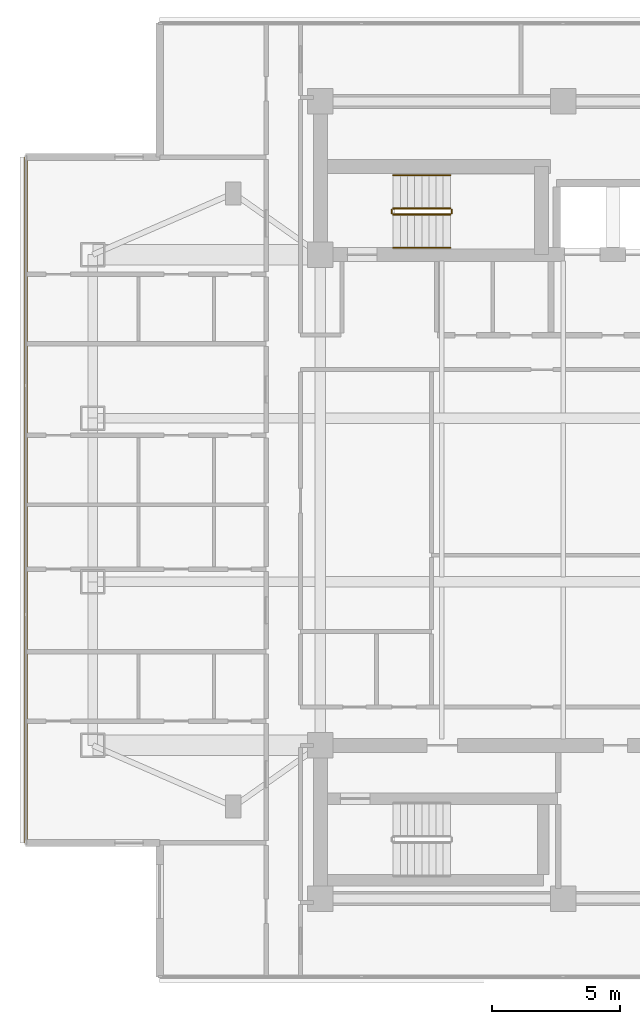
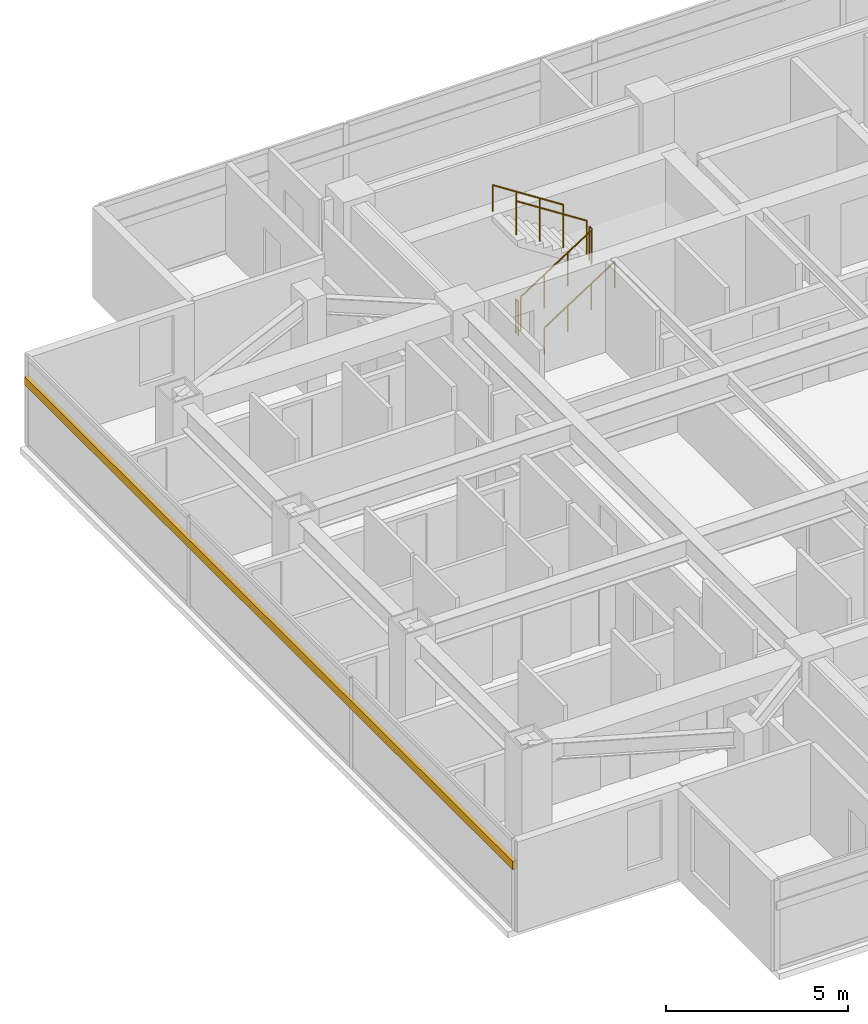
# One storey, part 22 of 26: 6 railings, 1 shading device.
"""IFC4 building model written with IfcOpenShell, lengths in metres."""

import ifcopenshell
import ifcopenshell.guid

model = None  # the IFC model being written
_history = None  # IfcOwnerHistory: only IFC2X3 demands one
_inside = {}  # id of a spatial element -> (the spatial element, [elements in it])
_under = {}  # id of a project, library or spatial element -> (it, [spatial elements below it])
_declared = {}  # id of a project -> (the project, [libraries it declares])
_typed = {}  # id of a type object -> (the type object, [elements of that type])
_made_of = {}  # id of a material, layer set ... -> (it, [elements and type objects made of it])


def new_model(schema):
    """Start an empty IFC model of exactly this schema.

    Asked for "IFC4X3", IfcOpenShell would pick the latest addendum, in which some entities
    have other attributes; the version numbers below select the first issue.
    IFC2X3 requires an IfcOwnerHistory on every rooted entity: one is made here for all.
    """
    global model, _history
    if schema == "IFC4X3":
        model = ifcopenshell.file(schema_version=(4, 3, 0, 0))
    else:
        model = ifcopenshell.file(schema=schema)
    _inside.clear()
    _under.clear()
    _declared.clear()
    _typed.clear()
    _made_of.clear()
    _history = None
    if model.schema == "IFC2X3":
        org = make("IfcOrganization", Name="unknown")
        user = make(
            "IfcPersonAndOrganization",
            ThePerson=make("IfcPerson", FamilyName="unknown"),
            TheOrganization=org,
        )
        app = make(
            "IfcApplication",
            ApplicationDeveloper=org,
            Version="unknown",
            ApplicationFullName="unknown",
            ApplicationIdentifier="unknown",
        )
        _history = make(
            "IfcOwnerHistory",
            OwningUser=user,
            OwningApplication=app,
            ChangeAction="ADDED",
            CreationDate=0,
        )
    return model


def make(cls, **values):
    """One entity of the class cls with the attributes given. An attribute that is None is left unset."""
    return model.create_entity(
        cls, **{name: value for name, value in values.items() if value is not None}
    )


def rooted(cls, **values):
    """An entity with a GlobalId (a new one), such as an element, a storey or a relation."""
    return make(cls, GlobalId=ifcopenshell.guid.new(), OwnerHistory=_history, **values)


def si_unit(unit_type, name, prefix=None):
    """IfcSIUnit, for example si_unit("LENGTHUNIT", "METRE", prefix="MILLI")."""
    return make("IfcSIUnit", UnitType=unit_type, Prefix=prefix, Name=name)


def assignment(units):
    """IfcUnitAssignment: the units of a project."""
    return None if units is None else make("IfcUnitAssignment", Units=units)


def point(xyz):
    """IfcCartesianPoint."""
    return None if xyz is None else make("IfcCartesianPoint", Coordinates=xyz)


def direction(xyz):
    """IfcDirection."""
    return None if xyz is None else make("IfcDirection", DirectionRatios=xyz)


def frame(location, z_axis=None, x_axis=None):
    """IfcAxis2Placement3D, a coordinate frame: its origin and axes. An axis left out is left unset."""
    return make(
        "IfcAxis2Placement3D",
        Location=point(location),
        Axis=direction(z_axis),
        RefDirection=direction(x_axis),
    )


def frame_2d(location, x_axis=None):
    """IfcAxis2Placement2D, a coordinate frame in the plane: its origin and x axis."""
    return make(
        "IfcAxis2Placement2D", Location=point(location), RefDirection=direction(x_axis)
    )


def origin():
    """The frame at (0, 0, 0) with its axes left unset."""
    return frame((0.0, 0.0, 0.0))


def origin_2d():
    """The frame at (0, 0) in the plane with its x axis left unset."""
    return frame_2d((0.0, 0.0))


def place(relative_to, where):
    """IfcLocalPlacement: puts the frame where relative to a parent placement (None: the world)."""
    return make(
        "IfcLocalPlacement", PlacementRelTo=relative_to, RelativePlacement=where
    )


def context(
    kind, dimensions, precision=None, world=None, true_north=None, identifier=None
):
    """IfcGeometricRepresentationContext, for example the 3D "Model" context."""
    return make(
        "IfcGeometricRepresentationContext",
        ContextIdentifier=identifier,
        ContextType=kind,
        CoordinateSpaceDimension=dimensions,
        Precision=precision,
        WorldCoordinateSystem=world,
        TrueNorth=true_north,
    )


def subcontext(parent, identifier, kind, view, scale=None):
    """IfcGeometricRepresentationSubContext, for example "Body" below "Model"."""
    return make(
        "IfcGeometricRepresentationSubContext",
        ContextIdentifier=identifier,
        ContextType=kind,
        ParentContext=parent,
        TargetScale=scale,
        TargetView=view,
    )


def project(units=None, contexts=None):
    """IfcProject with its units and contexts."""
    return rooted(
        "IfcProject",
        Name="project",
        RepresentationContexts=contexts,
        UnitsInContext=assignment(units),
    )


def spatial(cls, under=None, at=None, **own):
    """A site, building, storey or space (cls), placed at a placement, below another one or the project."""
    s = rooted(cls, ObjectPlacement=at, **own)
    if under is not None:
        _under.setdefault(under.id(), (under, []))[1].append(s)
    return s


def profile(cls, at=None, kind="AREA", **sizes):
    """A parametric profile (cls). Its sizes go by their IFC names, for example OverallWidth=200.0."""
    return make(cls, ProfileType=kind, Position=at, **sizes)


def rectangle(**sizes):
    """IfcRectangleProfileDef."""
    return profile("IfcRectangleProfileDef", **sizes)


def circle(**sizes):
    """IfcCircleProfileDef."""
    return profile("IfcCircleProfileDef", **sizes)


def extrude(swept, where, along, depth):
    """IfcExtrudedAreaSolid: the profile swept, set in the frame where, extruded along a direction by depth."""
    return make(
        "IfcExtrudedAreaSolid",
        SweptArea=swept,
        Position=where,
        ExtrudedDirection=direction(along),
        Depth=depth,
    )


def shape(context_of_items, identifier, shape_type, items):
    """IfcShapeRepresentation: the items that make up one representation, for example the "Body"."""
    return make(
        "IfcShapeRepresentation",
        ContextOfItems=context_of_items,
        RepresentationIdentifier=identifier,
        RepresentationType=shape_type,
        Items=items,
    )


def material(Name=None, Category=None):
    """IfcMaterial."""
    return make("IfcMaterial", Name=Name, Category=Category)


def material_profile(
    of_material, cross_section, Name=None, Category=None, Priority=None
):
    """IfcMaterialProfile: a cross section and its material."""
    return make(
        "IfcMaterialProfile",
        Name=Name,
        Material=of_material,
        Profile=cross_section,
        Priority=Priority,
        Category=Category,
    )


def profile_set(profiles, Name=None, composite=None):
    """IfcMaterialProfileSet."""
    return make(
        "IfcMaterialProfileSet",
        Name=Name,
        MaterialProfiles=profiles,
        CompositeProfile=composite,
    )


def made_of(thing, what):
    """Note that an element or type object is made of a material, layer set ...; save() writes the relation."""
    if what is not None:
        _made_of.setdefault(what.id(), (what, []))[1].append(thing)
    return thing


def type_object(cls, material=None, **own):
    """A type object (cls), such as IfcWallType, which elements share."""
    return made_of(rooted(cls, **own), material)


def element(
    cls,
    number,
    at=None,
    inside=None,
    cuts=None,
    type_object=None,
    material=None,
    context=None,
    identifier="Body",
    shape_type=None,
    held_by="IfcProductDefinitionShape",
    body=None,
    shapes=None,
    **own,
):
    """One element of the class cls, such as IfcWall. Its Tag is "e" and its number.

    at: its placement. inside: the storey or other place that contains it. cuts: it is an
    opening in that element (IfcRelVoidsElement). A single representation is given by context,
    identifier, shape_type and body (its items); several are given by shapes. held_by: the class
    of the entity that holds the representations. save() writes the other relations.
    """
    e = rooted(cls, Tag="e%d" % number, ObjectPlacement=at, **own)
    if body is not None:
        shapes = [shape(context, identifier, shape_type, body)]
    if shapes is not None:
        e.Representation = make(held_by, Representations=shapes)
    if inside is not None:
        _inside.setdefault(inside.id(), (inside, []))[1].append(e)
    if cuts is not None:
        rooted(
            "IfcRelVoidsElement", RelatingBuildingElement=cuts, RelatedOpeningElement=e
        )
    if type_object is not None:
        _typed.setdefault(type_object.id(), (type_object, []))[1].append(e)
    return made_of(e, material)


def aggregate(whole, parts):
    """IfcRelAggregates: a whole, such as a stair, and the parts it consists of."""
    return rooted("IfcRelAggregates", RelatingObject=whole, RelatedObjects=parts)


def save(model, path):
    """Write the relations noted so far, then the file.

    IfcRelAggregates (storeys below a building ...), IfcRelContainedInSpatialStructure (elements
    in a storey), IfcRelDefinesByType, IfcRelAssociatesMaterial and IfcRelDeclares: one each for
    every whole, place, type object, material and project.
    """
    for whole, parts in _under.values():
        aggregate(whole, parts)
    for where, things in _inside.values():
        rooted(
            "IfcRelContainedInSpatialStructure",
            RelatedElements=things,
            RelatingStructure=where,
        )
    for kind, things in _typed.values():
        rooted("IfcRelDefinesByType", RelatedObjects=things, RelatingType=kind)
    for what, things in _made_of.values():
        rooted("IfcRelAssociatesMaterial", RelatedObjects=things, RelatingMaterial=what)
    for by, libraries in _declared.values():
        rooted("IfcRelDeclares", RelatingContext=by, RelatedDefinitions=libraries)
    model.write(path)


model = new_model("IFC4")

# Units and contexts
model_context = context("Model", 3, precision=1e-05, world=origin(), true_north=direction((0.0, 1.0)))
body_context = subcontext(model_context, "Body", "Model", "MODEL_VIEW")
ifc_project = project(units=[si_unit("LENGTHUNIT", "METRE"), si_unit("AREAUNIT", "SQUARE_METRE"), si_unit("VOLUMEUNIT", "CUBIC_METRE"), si_unit("PLANEANGLEUNIT", "RADIAN"), si_unit("MASSUNIT", "GRAM", prefix="KILO")], contexts=[model_context])

# Site, building, storey
site_placement = place(None, origin())
site = spatial("IfcSite", under=ifc_project, at=site_placement, CompositionType="ELEMENT")
building_placement = place(site_placement, origin())
building = spatial("IfcBuilding", under=site, at=building_placement, Name="Mirazonda Arch Towers", CompositionType="ELEMENT")
storey_placement = place(building_placement, frame((0.0, 0.0, 170.64990234375)))
storey = spatial("IfcBuildingStorey", under=building, at=storey_placement, Name="L48", CompositionType="ELEMENT", Elevation=170.64990234375)

# Shading device
ifc_material_1 = material(Name="Kiln-Fired Architectural Terracotta", Category="masonry")
ifc_material_profile = material_profile(ifc_material_1, rectangle(XDim=0.139892578125, YDim=0.280029296875, at=origin_2d()), Name="TERRA-BAG-140x280")
ifc_profile_set = profile_set([ifc_material_profile], Name="Kiln-Fired Architectural Terracotta")
shading_device_type = type_object("IfcShadingDeviceType", Name="BAGUETTE-3", PredefinedType="USERDEFINED", material=ifc_profile_set)
shading_device_placement = place(storey_placement, frame((-0.530029296875, 41.4150390625, 2.181640625), z_axis=(0.0, -1.0, 0.0), x_axis=(1.0, 0.0, 0.0)))
element("IfcShadingDevice", 1, at=shading_device_placement, inside=storey, type_object=shading_device_type, Name="L48 Glazed Terracotta Sun-Screen Baguette CW-L48-T1-W", ObjectType="BAGUETTE", PredefinedType="USERDEFINED", context=body_context, shape_type="SweptSolid", body=[
    extrude(rectangle(XDim=0.139892578125, YDim=0.280029296875, at=origin_2d()), origin(), (0.0, 0.0, 1.0), 26.830078125),
])

# Railings
ifc_material_2 = material(Name="Architectural Brushed Steel S355", Category="steel")
railing_type_1 = type_object("IfcRailingType", Name="GUARD-STAIR-1120", PredefinedType="GUARDRAIL", material=ifc_material_2)
railing_1_placement = place(storey_placement, frame((13.85009765625, 39.169921875, 0.1806640625)))
element("IfcRailing", 2, at=railing_1_placement, inside=storey, type_object=railing_type_1, Name="L48 ST-T1N stair guard 1", PredefinedType="GUARDRAIL", context=body_context, shape_type="SweptSolid", body=[
    extrude(circle(Radius=0.02392578125, at=origin_2d()), frame((0.0, 0.0, 1.1259765625), z_axis=(0.840436612492, 0.0, 0.541909863706), x_axis=(0.0, 1.0, 0.0)), (0.0, 0.0, 1.0), 2.665283203125),
    extrude(circle(Radius=0.02099609375, at=origin_2d()), origin(), (0.0, 0.0, 1.0), 1.101806640625),
    extrude(circle(Radius=0.02099609375, at=origin_2d()), frame((0.74658203125, 0.0, 0.4814453125)), (0.0, 0.0, 1.0), 1.101806640625),
    extrude(circle(Radius=0.02099609375, at=origin_2d()), frame((1.493408203125, 0.0, 0.962890625)), (0.0, 0.0, 1.0), 1.101806640625),
    extrude(circle(Radius=0.02099609375, at=origin_2d()), frame((2.239990234375, 0.0, 1.4443359375)), (0.0, 0.0, 1.0), 1.101806640625),
])
railing_2_placement = place(storey_placement, frame((16.139892578125, 39.219970703125, 1.625)))
element("IfcRailing", 3, at=railing_2_placement, inside=storey, type_object=railing_type_1, Name="L48 ST-T1N stair guard 2", PredefinedType="GUARDRAIL", context=body_context, shape_type="SweptSolid", body=[
    extrude(circle(Radius=0.02392578125, at=origin_2d()), frame((0.0, 0.0, 1.1259765625), z_axis=(0.0, 1.0, 0.0), x_axis=(-1.0, 0.0, 0.0)), (0.0, 0.0, 1.0), 0.14013671875),
    extrude(circle(Radius=0.02099609375, at=origin_2d()), origin(), (0.0, 0.0, 1.0), 1.101806640625),
    extrude(circle(Radius=0.02099609375, at=origin_2d()), frame((0.0, 0.14013671875, 0.0)), (0.0, 0.0, 1.0), 1.101806640625),
])
railing_3_placement = place(storey_placement, frame((16.090087890625, 39.409912109375, 1.8056640625)))
element("IfcRailing", 4, at=railing_3_placement, inside=storey, type_object=railing_type_1, Name="L48 ST-T1N stair guard 3", PredefinedType="GUARDRAIL", context=body_context, shape_type="SweptSolid", body=[
    extrude(circle(Radius=0.02392578125, at=origin_2d()), frame((0.0, 0.0, 1.1259765625), z_axis=(-0.840436612492, 0.0, 0.541909863706), x_axis=(0.0, -1.0, 0.0)), (0.0, 0.0, 1.0), 2.665283203125),
    extrude(circle(Radius=0.02099609375, at=origin_2d()), origin(), (0.0, 0.0, 1.0), 1.101806640625),
    extrude(circle(Radius=0.02099609375, at=origin_2d()), frame((-0.74658203125, 0.0, 0.4814453125)), (0.0, 0.0, 1.0), 1.101806640625),
    extrude(circle(Radius=0.02099609375, at=origin_2d()), frame((-1.493408203125, 0.0, 0.962890625)), (0.0, 0.0, 1.0), 1.101806640625),
    extrude(circle(Radius=0.02099609375, at=origin_2d()), frame((-2.239990234375, 0.0, 1.4443359375)), (0.0, 0.0, 1.0), 1.101806640625),
])
railing_4_placement = place(storey_placement, frame((13.800048828125, 39.219970703125, 0.0)))
element("IfcRailing", 5, at=railing_4_placement, inside=storey, type_object=railing_type_1, Name="L48 ST-T1N stair guard 4", PredefinedType="GUARDRAIL", context=body_context, shape_type="SweptSolid", body=[
    extrude(circle(Radius=0.02392578125, at=origin_2d()), frame((0.0, 0.0, 1.1259765625), z_axis=(0.0, 1.0, 0.0), x_axis=(-1.0, 0.0, 0.0)), (0.0, 0.0, 1.0), 0.14013671875),
    extrude(circle(Radius=0.02099609375, at=origin_2d()), origin(), (0.0, 0.0, 1.0), 1.101806640625),
    extrude(circle(Radius=0.02099609375, at=origin_2d()), frame((0.0, 0.14013671875, 0.0)), (0.0, 0.0, 1.0), 1.101806640625),
])
railing_type_2 = type_object("IfcRailingType", Name="HANDRAIL-915", PredefinedType="HANDRAIL", material=ifc_material_2)
railing_5_placement = place(storey_placement, frame((13.85009765625, 37.8701171875, 0.1806640625)))
element("IfcRailing", 6, at=railing_5_placement, inside=storey, type_object=railing_type_2, Name="L48 ST-T1N stair handrail 1", PredefinedType="HANDRAIL", context=body_context, shape_type="SweptSolid", body=[
    extrude(circle(Radius=0.02392578125, at=origin_2d()), frame((0.0, 0.0, 0.8759765625), z_axis=(0.840436612492, 0.0, 0.541909863706), x_axis=(0.0, 1.0, 0.0)), (0.0, 0.0, 1.0), 2.665283203125),
    extrude(circle(Radius=0.02099609375, at=origin_2d()), origin(), (0.0, 0.0, 1.0), 0.851806640625),
    extrude(circle(Radius=0.02099609375, at=origin_2d()), frame((0.74658203125, 0.0, 0.4814453125)), (0.0, 0.0, 1.0), 0.851806640625),
    extrude(circle(Radius=0.02099609375, at=origin_2d()), frame((1.493408203125, 0.0, 0.962890625)), (0.0, 0.0, 1.0), 0.851806640625),
    extrude(circle(Radius=0.02099609375, at=origin_2d()), frame((2.239990234375, 0.0, 1.4443359375)), (0.0, 0.0, 1.0), 0.851806640625),
])
railing_6_placement = place(storey_placement, frame((16.090087890625, 40.7099609375, 1.8056640625)))
element("IfcRailing", 7, at=railing_6_placement, inside=storey, type_object=railing_type_2, Name="L48 ST-T1N stair handrail 2", PredefinedType="HANDRAIL", context=body_context, shape_type="SweptSolid", body=[
    extrude(circle(Radius=0.02392578125, at=origin_2d()), frame((0.0, 0.0, 0.8759765625), z_axis=(-0.840436612492, 0.0, 0.541909863706), x_axis=(0.0, -1.0, 0.0)), (0.0, 0.0, 1.0), 2.665283203125),
    extrude(circle(Radius=0.02099609375, at=origin_2d()), origin(), (0.0, 0.0, 1.0), 0.851806640625),
    extrude(circle(Radius=0.02099609375, at=origin_2d()), frame((-0.74658203125, 0.0, 0.4814453125)), (0.0, 0.0, 1.0), 0.851806640625),
    extrude(circle(Radius=0.02099609375, at=origin_2d()), frame((-1.493408203125, 0.0, 0.962890625)), (0.0, 0.0, 1.0), 0.851806640625),
    extrude(circle(Radius=0.02099609375, at=origin_2d()), frame((-2.239990234375, 0.0, 1.4443359375)), (0.0, 0.0, 1.0), 0.851806640625),
])

save(model, "model.ifc")
